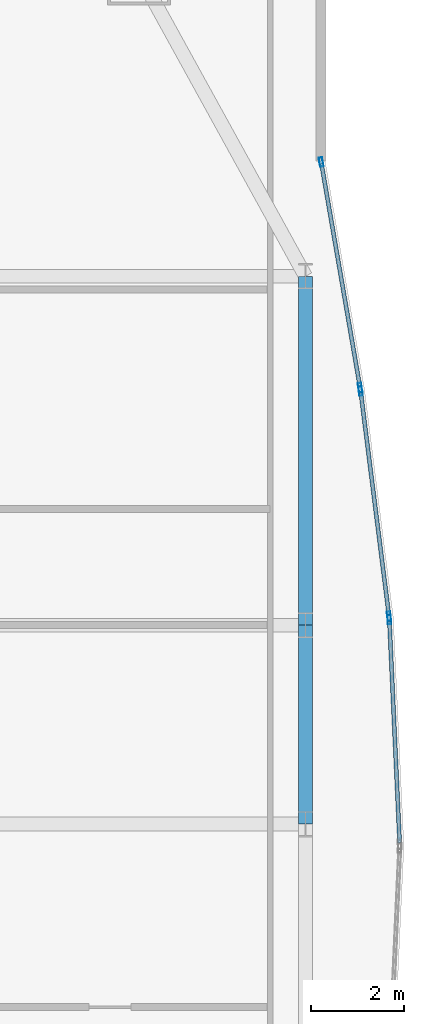
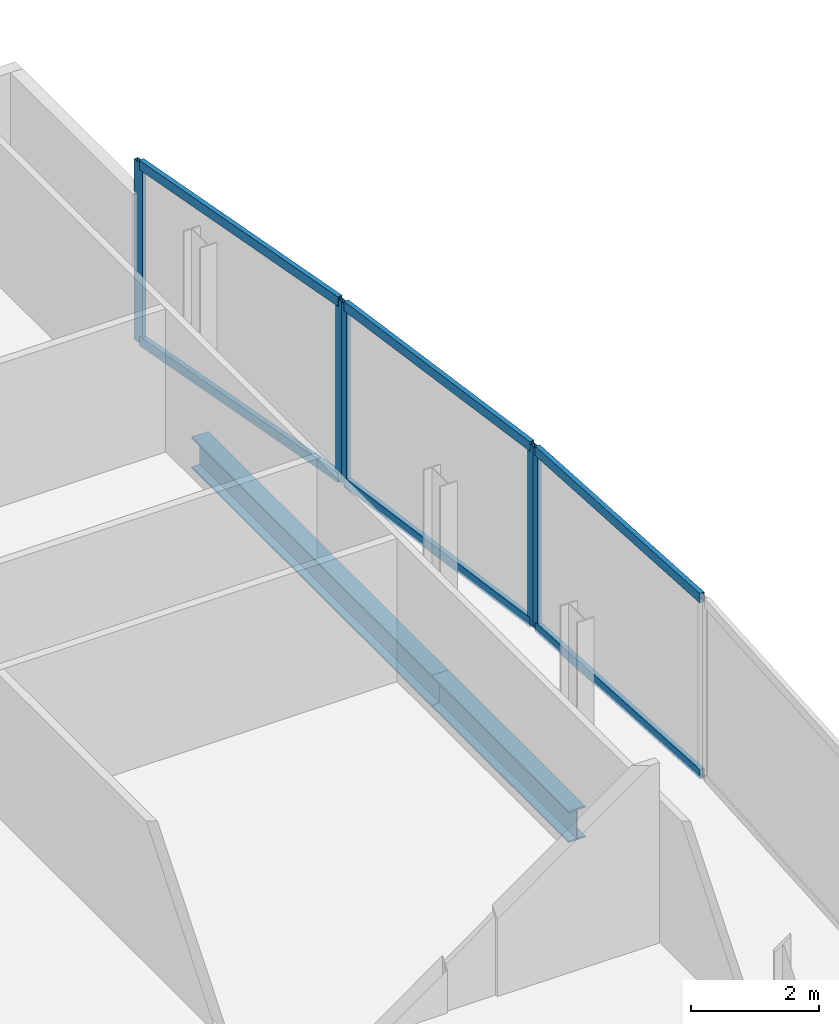
# One storey, part 22 of 29: 11 members, 2 beams, 3 elements without a shape of their own.
"""IFC4 building model written with IfcOpenShell, lengths in metres."""

from ifc_helpers import new_model, si_unit, direction, frame, origin, origin_2d, place, context, subcontext, project, spatial, hollow_rectangle, i_section, extrude, material, material_profile, profile_set, type_object, element, aggregate, save


model = new_model("IFC4")

# Units and contexts
model_context = context("Model", 3, precision=1e-05, world=origin(), true_north=direction((0.0, 1.0)))
body_context = subcontext(model_context, "Body", "Model", "MODEL_VIEW")
ifc_project = project(units=[si_unit("LENGTHUNIT", "METRE"), si_unit("AREAUNIT", "SQUARE_METRE"), si_unit("VOLUMEUNIT", "CUBIC_METRE"), si_unit("PLANEANGLEUNIT", "RADIAN"), si_unit("MASSUNIT", "GRAM", prefix="KILO")], contexts=[model_context])

# Site, building, storey
site_placement = place(None, origin())
site = spatial("IfcSite", under=ifc_project, at=site_placement, CompositionType="ELEMENT")
building_placement = place(site_placement, origin())
building = spatial("IfcBuilding", under=site, at=building_placement, Name="Khoronbel Lancet Exchange", CompositionType="ELEMENT")
storey_placement = place(building_placement, frame((0.0, 0.0, 150.60009765625)))
storey = spatial("IfcBuildingStorey", under=building, at=storey_placement, Name="L37", CompositionType="ELEMENT", Elevation=150.60009765625)

# Beams
ifc_material_1 = material(Name="Steel S355", Category="steel")
ifc_material_profile_1 = material_profile(ifc_material_1, i_section(OverallWidth=0.300048828125, OverallDepth=0.60009765625, WebThickness=0.015380859375, FlangeThickness=0.030029296875, at=origin_2d()), Name="HEB 600")
ifc_profile_set_1 = profile_set([ifc_material_profile_1], Name="Steel S355")
beam_type = type_object("IfcBeamType", Name="BM-BSP2", PredefinedType="SPANDREL", material=ifc_profile_set_1)
beam_1_placement = place(storey_placement, frame((67.6298828125, 31.425048828125, -0.460205078125), z_axis=(0.0, 1.0, 0.0), x_axis=(-1.0, 0.0, 0.0)))
element("IfcBeam", 1, at=beam_1_placement, inside=storey, type_object=beam_type, Name="Level L37 perimeter spandrel beam SP13", PredefinedType="SPANDREL", context=body_context, shape_type="SweptSolid", body=[
    extrude(i_section(OverallWidth=0.300048828125, OverallDepth=0.60009765625, WebThickness=0.015380859375, FlangeThickness=0.030029296875, at=origin_2d()), origin(), (0.0, 0.0, 1.0), 4.27490234375),
])
beam_2_placement = place(storey_placement, frame((67.6298828125, 35.699951171875, -0.460205078125), z_axis=(0.0, 1.0, 0.0), x_axis=(-1.0, 0.0, 0.0)))
element("IfcBeam", 2, at=beam_2_placement, inside=storey, type_object=beam_type, Name="Level L37 perimeter spandrel beam SP14", PredefinedType="SPANDREL", context=body_context, shape_type="SweptSolid", body=[
    extrude(i_section(OverallWidth=0.300048828125, OverallDepth=0.60009765625, WebThickness=0.015380859375, FlangeThickness=0.030029296875, at=origin_2d()), origin(), (0.0, 0.0, 1.0), 7.5),
])

# Curtain wall, members
ifc_material_2 = material(Name="Low-E Solar Control Insulating Glass", Category="glass")
curtain_wall_type = type_object("IfcCurtainWallType", Name="CW-4", PredefinedType="NOTDEFINED", material=ifc_material_2)
curtain_wall_1_placement = place(storey_placement, origin())
curtain_wall_1 = element("IfcCurtainWall", 3, at=curtain_wall_1_placement, inside=storey, type_object=curtain_wall_type, Name="Unitised curtain wall CW-L37-E17", PredefinedType="NOTDEFINED")
ifc_material_3 = material(Name="Bronze-Anodised Aluminium 6063-T6", Category="aluminium")
ifc_material_profile_2 = material_profile(ifc_material_3, hollow_rectangle(XDim=0.074951171875, YDim=0.199951171875, WallThickness=0.0048828125, at=origin_2d()), Name="ALU MULLION 75x200")
ifc_profile_set_2 = profile_set([ifc_material_profile_2], Name="Bronze-Anodised Aluminium 6063-T6")
member_type_1 = type_object("IfcMemberType", Name="MEM-CWM2", PredefinedType="MULLION", material=ifc_profile_set_2)
member_1_placement = place(storey_placement, frame((67.96630859375, 45.6552734375, 0.0), z_axis=(0.0, 0.0, 1.0), x_axis=(0.985439071124, 0.170028930194, 0.0)))
member_1 = element("IfcMember", 4, at=member_1_placement, type_object=member_type_1, Name="CW4 mullion 1", PredefinedType="MULLION", context=body_context, shape_type="SweptSolid", body=[
    extrude(hollow_rectangle(XDim=0.074951171875, YDim=0.199951171875, WallThickness=0.0048828125, at=origin_2d()), origin(), (0.0, 0.0, 1.0), 3.43994140625),
])
member_2_placement = place(storey_placement, frame((68.802978515625, 40.806884765625, 0.0), z_axis=(0.0, 0.0, 1.0), x_axis=(0.985439071124, 0.170028930194, 0.0)))
member_2 = element("IfcMember", 5, at=member_2_placement, type_object=member_type_1, Name="CW4 mullion 2", PredefinedType="MULLION", context=body_context, shape_type="SweptSolid", body=[
    extrude(hollow_rectangle(XDim=0.074951171875, YDim=0.199951171875, WallThickness=0.0048828125, at=origin_2d()), origin(), (0.0, 0.0, 1.0), 3.43994140625),
])

curtain_wall_2_placement = place(storey_placement, origin())
curtain_wall_2 = element("IfcCurtainWall", 6, at=curtain_wall_2_placement, inside=storey, type_object=curtain_wall_type, Name="Unitised curtain wall CW-L37-E18", PredefinedType="NOTDEFINED")
member_3_placement = place(storey_placement, frame((68.81396484375, 40.73291015625, 0.0), z_axis=(0.0, 0.0, 1.0), x_axis=(0.992117302978, 0.125312637554, 0.0)))
member_3 = element("IfcMember", 7, at=member_3_placement, type_object=member_type_1, Name="CW4 mullion 1", PredefinedType="MULLION", context=body_context, shape_type="SweptSolid", body=[
    extrude(hollow_rectangle(XDim=0.074951171875, YDim=0.199951171875, WallThickness=0.0048828125, at=origin_2d()), origin(), (0.0, 0.0, 1.0), 3.43994140625),
])
member_4_placement = place(storey_placement, frame((69.4248046875, 35.896240234375, 0.0), z_axis=(0.0, 0.0, 1.0), x_axis=(0.992117302978, 0.125312637554, 0.0)))
member_4 = element("IfcMember", 8, at=member_4_placement, type_object=member_type_1, Name="CW4 mullion 2", PredefinedType="MULLION", context=body_context, shape_type="SweptSolid", body=[
    extrude(hollow_rectangle(XDim=0.074951171875, YDim=0.199951171875, WallThickness=0.0048828125, at=origin_2d()), origin(), (0.0, 0.0, 1.0), 3.43994140625),
])

# Curtain wall, member
curtain_wall_3_placement = place(storey_placement, origin())
curtain_wall_3 = element("IfcCurtainWall", 9, at=curtain_wall_3_placement, inside=storey, type_object=curtain_wall_type, Name="Unitised curtain wall CW-L37-E19", PredefinedType="NOTDEFINED")
member_5_placement = place(storey_placement, frame((69.431396484375, 35.821533203125, 0.0), z_axis=(0.0, 0.0, 1.0), x_axis=(0.998933507657, 0.046171931737, 0.0)))
member_5 = element("IfcMember", 10, at=member_5_placement, type_object=member_type_1, Name="CW4 mullion 1", PredefinedType="MULLION", context=body_context, shape_type="SweptSolid", body=[
    extrude(hollow_rectangle(XDim=0.074951171875, YDim=0.199951171875, WallThickness=0.0048828125, at=origin_2d()), origin(), (0.0, 0.0, 1.0), 3.43994140625),
])

# Member
ifc_material_profile_3 = material_profile(ifc_material_3, hollow_rectangle(XDim=0.0849609375, YDim=0.179931640625, WallThickness=0.0048828125, at=origin_2d()), Name="ALU TRANSOM 85x180")
ifc_profile_set_3 = profile_set([ifc_material_profile_3], Name="Bronze-Anodised Aluminium 6063-T6")
member_type_2 = type_object("IfcMemberType", Name="MEM-CWT1", PredefinedType="USERDEFINED", material=ifc_profile_set_3)
member_6_placement = place(storey_placement, frame((67.97265625, 45.618408203125, 0.04248046875), z_axis=(0.170067220544, -0.985432463691, 0.0), x_axis=(0.985432463691, 0.170067220544, 0.0)))
member_6 = element("IfcMember", 11, at=member_6_placement, type_object=member_type_2, Name="CW4 transom 1.1", ObjectType="TRANSOM", PredefinedType="USERDEFINED", context=body_context, shape_type="SweptSolid", body=[
    extrude(hollow_rectangle(XDim=0.0849609375, YDim=0.179931640625, WallThickness=0.0048828125, at=origin_2d()), origin(), (0.0, 0.0, 1.0), 4.844970703125),
])

member_7_placement = place(storey_placement, frame((67.97265625, 45.618408203125, 3.3974609375), z_axis=(0.170067220544, -0.985432463691, 0.0), x_axis=(0.985432463691, 0.170067220544, 0.0)))
member_7 = element("IfcMember", 12, at=member_7_placement, type_object=member_type_2, Name="CW4 transom 1.2", ObjectType="TRANSOM", PredefinedType="USERDEFINED", context=body_context, shape_type="SweptSolid", body=[
    extrude(hollow_rectangle(XDim=0.0849609375, YDim=0.179931640625, WallThickness=0.0048828125, at=origin_2d()), origin(), (0.0, 0.0, 1.0), 4.844970703125),
])

aggregate(curtain_wall_1, [member_1, member_2, member_6, member_7])

member_8_placement = place(storey_placement, frame((68.818603515625, 40.695556640625, 0.04248046875), z_axis=(0.125324179344, -0.992115845086, 0.0), x_axis=(0.992115845086, 0.125324179344, 0.0)))
member_8 = element("IfcMember", 13, at=member_8_placement, type_object=member_type_2, Name="CW4 transom 1.1", ObjectType="TRANSOM", PredefinedType="USERDEFINED", context=body_context, shape_type="SweptSolid", body=[
    extrude(hollow_rectangle(XDim=0.0849609375, YDim=0.179931640625, WallThickness=0.0048828125, at=origin_2d()), origin(), (0.0, 0.0, 1.0), 4.800048828125),
])

member_9_placement = place(storey_placement, frame((68.818603515625, 40.695556640625, 3.3974609375), z_axis=(0.125324179344, -0.992115845086, 0.0), x_axis=(0.992115845086, 0.125324179344, 0.0)))
member_9 = element("IfcMember", 14, at=member_9_placement, type_object=member_type_2, Name="CW4 transom 1.2", ObjectType="TRANSOM", PredefinedType="USERDEFINED", context=body_context, shape_type="SweptSolid", body=[
    extrude(hollow_rectangle(XDim=0.0849609375, YDim=0.179931640625, WallThickness=0.0048828125, at=origin_2d()), origin(), (0.0, 0.0, 1.0), 4.800048828125),
])

aggregate(curtain_wall_2, [member_3, member_4, member_8, member_9])

member_10_placement = place(storey_placement, frame((69.43310546875, 35.7841796875, 0.04248046875), z_axis=(0.046170060958, -0.998933594125, 0.0), x_axis=(0.998933594125, 0.046170060958, 0.0)))
member_10 = element("IfcMember", 15, at=member_10_placement, type_object=member_type_2, Name="CW4 transom 1.1", ObjectType="TRANSOM", PredefinedType="USERDEFINED", context=body_context, shape_type="SweptSolid", body=[
    extrude(hollow_rectangle(XDim=0.0849609375, YDim=0.179931640625, WallThickness=0.0048828125, at=origin_2d()), origin(), (0.0, 0.0, 1.0), 4.764404296875),
])

member_11_placement = place(storey_placement, frame((69.43310546875, 35.7841796875, 3.3974609375), z_axis=(0.046170060958, -0.998933594125, 0.0), x_axis=(0.998933594125, 0.046170060958, 0.0)))
member_11 = element("IfcMember", 16, at=member_11_placement, type_object=member_type_2, Name="CW4 transom 1.2", ObjectType="TRANSOM", PredefinedType="USERDEFINED", context=body_context, shape_type="SweptSolid", body=[
    extrude(hollow_rectangle(XDim=0.0849609375, YDim=0.179931640625, WallThickness=0.0048828125, at=origin_2d()), origin(), (0.0, 0.0, 1.0), 4.764404296875),
])

aggregate(curtain_wall_3, [member_5, member_10, member_11])

save(model, "model.ifc")
